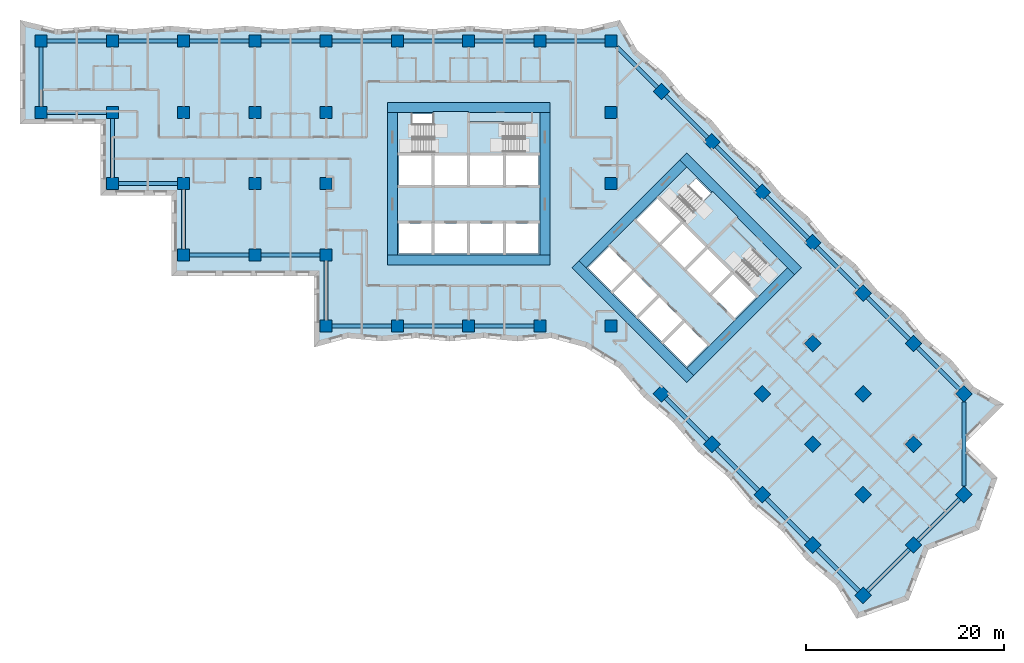
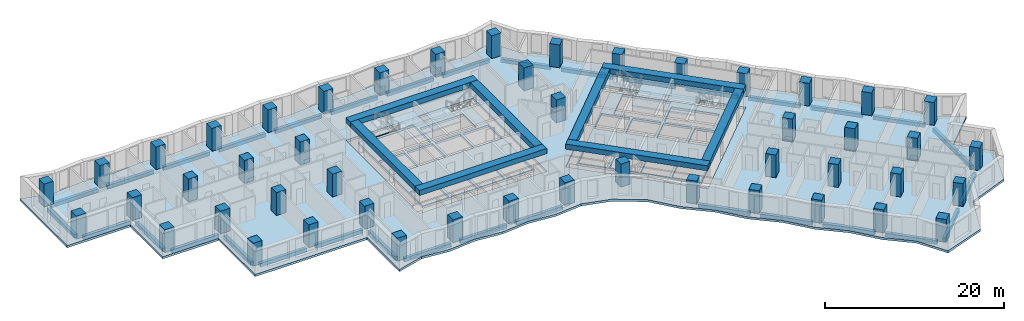
# One storey, part 1 of 13: 48 columns, 41 beams, 7 slabs, 22 openings, 4 elements without a shape of their own.
"""IFC4 building model written with IfcOpenShell, lengths in metres."""

from ifc_helpers import new_model, si_unit, direction, frame, origin, origin_2d, place, context, subcontext, project, spatial, polyline, rectangle, outline, extrude, material, layer, layer_set, material_profile, profile_set, type_object, element, aggregate, save


model = new_model("IFC4")

# Units and contexts
model_context = context("Model", 3, precision=1e-05, world=origin(), true_north=direction((0.0, 1.0)))
body_context = subcontext(model_context, "Body", "Model", "MODEL_VIEW")
ifc_project = project(units=[si_unit("LENGTHUNIT", "METRE"), si_unit("AREAUNIT", "SQUARE_METRE"), si_unit("VOLUMEUNIT", "CUBIC_METRE"), si_unit("PLANEANGLEUNIT", "RADIAN"), si_unit("MASSUNIT", "GRAM", prefix="KILO")], contexts=[model_context])

# Site, building, storey
site_placement = place(None, origin())
site = spatial("IfcSite", under=ifc_project, at=site_placement, CompositionType="ELEMENT")
building_placement = place(site_placement, origin())
building = spatial("IfcBuilding", under=site, at=building_placement, Name="Windrow Commons", CompositionType="ELEMENT")
storey_placement = place(building_placement, frame((0.0, 0.0, 30.4)))
storey = spatial("IfcBuildingStorey", under=building, at=storey_placement, Name="L07", CompositionType="ELEMENT", Elevation=30.4)

# Columns
ifc_material_1 = material(Name="Concrete C60/75", Category="concrete")
ifc_material_profile_1 = material_profile(ifc_material_1, rectangle(XDim=1.2, YDim=1.2, at=origin_2d()))
ifc_profile_set_1 = profile_set([ifc_material_profile_1], Name="Concrete C60/75")
column_type = type_object("IfcColumnType", Name="RC COLUMN 1200x1200 C60/75", PredefinedType="COLUMN", material=ifc_profile_set_1)
for number, where, z_axis, x_axis, name in (
    (1, (21.6, 64.8, 0.0), (0.0, 0.0, 1.0), (1.0, 0.0, 0.0), "C-Z1-04I"),
    (2, (21.6, 72.0, 0.0), (0.0, 0.0, 1.0), (1.0, 0.0, 0.0), "C-Z1-04J"),
    (3, (28.8, 57.6, 0.0), (0.0, 0.0, 1.0), (1.0, 0.0, 0.0), "C-Z1-05H"),
    (4, (28.8, 64.8, 0.0), (0.0, 0.0, 1.0), (1.0, 0.0, 0.0), "C-Z1-05I"),
    (5, (28.8, 72.0, 0.0), (0.0, 0.0, 1.0), (1.0, 0.0, 0.0), "C-Z1-05J"),
    (6, (36.0, 50.4, 0.0), (0.0, 0.0, 1.0), (1.0, 0.0, 0.0), "C-Z1-06G"),
    (7, (36.0, 57.6, 0.0), (0.0, 0.0, 1.0), (1.0, 0.0, 0.0), "C-Z1-06H"),
    (8, (36.0, 64.8, 0.0), (0.0, 0.0, 1.0), (1.0, 0.0, 0.0), "C-Z1-06I"),
    (9, (36.0, 72.0, 0.0), (0.0, 0.0, 1.0), (1.0, 0.0, 0.0), "C-Z1-06J"),
    (10, (43.2, 50.4, 0.0), (0.0, 0.0, 1.0), (1.0, 0.0, 0.0), "C-Z1-07G"),
    (11, (43.2, 57.6, 0.0), (0.0, 0.0, 1.0), (1.0, 0.0, 0.0), "C-Z1-07H"),
    (12, (43.2, 64.8, 0.0), (0.0, 0.0, 1.0), (1.0, 0.0, 0.0), "C-Z1-07I"),
    (13, (43.2, 72.0, 0.0), (0.0, 0.0, 1.0), (1.0, 0.0, 0.0), "C-Z1-07J"),
    (14, (50.4, 43.2, 0.0), (0.0, 0.0, 1.0), (1.0, 0.0, 0.0), "C-Z1-08F"),
    (15, (50.4, 50.4, 0.0), (0.0, 0.0, 1.0), (1.0, 0.0, 0.0), "C-Z1-08G"),
    (16, (50.4, 57.6, 0.0), (0.0, 0.0, 1.0), (1.0, 0.0, 0.0), "C-Z1-08H"),
    (17, (50.4, 64.8, 0.0), (0.0, 0.0, 1.0), (1.0, 0.0, 0.0), "C-Z1-08I"),
    (18, (50.4, 72.0, 0.0), (0.0, 0.0, 1.0), (1.0, 0.0, 0.0), "C-Z1-08J"),
    (19, (57.6, 43.2, 0.0), (0.0, 0.0, 1.0), (1.0, 0.0, 0.0), "C-Z1-09F"),
    (20, (57.6, 72.0, 0.0), (0.0, 0.0, 1.0), (1.0, 0.0, 0.0), "C-Z1-09J"),
    (21, (64.8, 43.2, 0.0), (0.0, 0.0, 1.0), (1.0, 0.0, 0.0), "C-Z1-10F"),
    (22, (64.8, 72.0, 0.0), (0.0, 0.0, 1.0), (1.0, 0.0, 0.0), "C-Z1-10J"),
    (23, (72.0, 43.2, 0.0), (0.0, 0.0, 1.0), (1.0, 0.0, 0.0), "C-Z1-11F"),
    (24, (72.0, 72.0, 0.0), (0.0, 0.0, 1.0), (1.0, 0.0, 0.0), "C-Z1-11J"),
    (25, (79.2, 43.2, 0.0), (0.0, 0.0, 1.0), (1.0, 0.0, 0.0), "C-Z1-12F"),
    (26, (79.2, 57.6, 0.0), (0.0, 0.0, 1.0), (1.0, 0.0, 0.0), "C-Z1-12H"),
    (27, (79.2, 64.8, 0.0), (0.0, 0.0, 1.0), (1.0, 0.0, 0.0), "C-Z1-12I"),
    (28, (79.2, 72.0, 0.0), (0.0, 0.0, 1.0), (1.0, 0.0, 0.0), "C-Z1-12J"),
    (29, (84.2912, 66.9088, 0.0), (0.0, 0.0, 1.0), (0.7071067812, -0.7071067812, 0.0), "C-Z1-P2Q"),
    (30, (89.3823, 61.8177, 0.0), (0.0, 0.0, 1.0), (0.7071067812, -0.7071067812, 0.0), "C-Z1-P3Q"),
    (31, (94.4735, 56.7265, 0.0), (0.0, 0.0, 1.0), (0.7071067812, -0.7071067812, 0.0), "C-Z1-P4Q"),
    (32, (99.5647, 51.6353, 0.0), (0.0, 0.0, 1.0), (0.7071067812, -0.7071067812, 0.0), "C-Z1-P5Q"),
    (33, (84.2912, 36.3618, 0.0), (0.0, 0.0, 1.0), (0.7071067812, -0.7071067812, 0.0), "C-Z1-P5T"),
    (34, (104.6558, 46.5442, 0.0), (0.0, 0.0, 1.0), (0.7071067812, -0.7071067812, 0.0), "C-Z1-P6Q"),
    (35, (99.5647, 41.453, 0.0), (0.0, 0.0, 1.0), (0.7071067812, -0.7071067812, 0.0), "C-Z1-P6R"),
    (36, (94.4735, 36.3618, 0.0), (0.0, 0.0, 1.0), (0.7071067812, -0.7071067812, 0.0), "C-Z1-P6S"),
    (37, (89.3823, 31.2706, 0.0), (0.0, 0.0, 1.0), (0.7071067812, -0.7071067812, 0.0), "C-Z1-P6T"),
    (38, (109.747, 41.453, 0.0), (0.0, 0.0, 1.0), (0.7071067812, -0.7071067812, 0.0), "C-Z1-P7Q"),
    (39, (104.6558, 36.3618, 0.0), (0.0, 0.0, 1.0), (0.7071067812, -0.7071067812, 0.0), "C-Z1-P7R"),
    (40, (99.5647, 31.2706, 0.0), (0.0, 0.0, 1.0), (0.7071067812, -0.7071067812, 0.0), "C-Z1-P7S"),
    (41, (94.4735, 26.1795, 0.0), (0.0, 0.0, 1.0), (0.7071067812, -0.7071067812, 0.0), "C-Z1-P7T"),
    (42, (114.8382, 36.3618, 0.0), (0.0, 0.0, 1.0), (0.7071067812, -0.7071067812, 0.0), "C-Z1-P8Q"),
    (43, (109.747, 31.2706, 0.0), (0.0, 0.0, 1.0), (0.7071067812, -0.7071067812, 0.0), "C-Z1-P8R"),
    (44, (104.6558, 26.1795, 0.0), (0.0, 0.0, 1.0), (0.7071067812, -0.7071067812, 0.0), "C-Z1-P8S"),
    (45, (99.5647, 21.0883, 0.0), (0.0, 0.0, 1.0), (0.7071067812, -0.7071067812, 0.0), "C-Z1-P8T"),
    (46, (114.8382, 26.1795, 0.0), (0.0, 0.0, 1.0), (0.7071067812, -0.7071067812, 0.0), "C-Z1-P9R"),
    (47, (109.747, 21.0883, 0.0), (0.0, 0.0, 1.0), (0.7071067812, -0.7071067812, 0.0), "C-Z1-P9S"),
    (48, (104.6558, 15.9971, 0.0), (0.0, 0.0, 1.0), (0.7071067812, -0.7071067812, 0.0), "C-Z1-P9T"),
):
    element("IfcColumn", number, at=place(storey_placement, frame(where, z_axis=z_axis, x_axis=x_axis)), inside=storey, type_object=column_type, Name=name, PredefinedType="COLUMN", context=body_context, shape_type="SweptSolid", body=[
        extrude(rectangle(XDim=1.2, YDim=1.2, at=origin_2d()), origin(), (0.0, 0.0, 1.0), 3.1),
    ])

# Beams
ifc_material_2 = material(Name="Concrete C60/75", Category="concrete")
ifc_material_profile_2 = material_profile(ifc_material_2, rectangle(XDim=1.0, YDim=0.7, at=origin_2d()))
ifc_profile_set_2 = profile_set([ifc_material_profile_2], Name="Concrete C60/75")
beam_type_1 = type_object("IfcBeamType", Name="RC COUPLING BEAM 1000x700 C60/75", PredefinedType="LINTEL", material=ifc_profile_set_2)
for number, where, z_axis, x_axis, name in (
    (49, (56.6, 49.9, 2.75), (1.0, 0.0, 0.0), (0.0, 1.0, 0.0), "Core A coupling beam outer-S"),
    (50, (56.6, 65.3, 2.75), (1.0, 0.0, 0.0), (0.0, 1.0, 0.0), "Core A coupling beam outer-N"),
):
    element("IfcBeam", number, at=place(storey_placement, frame(where, z_axis=z_axis, x_axis=x_axis)), inside=storey, type_object=beam_type_1, Name=name, PredefinedType="LINTEL", context=body_context, shape_type="SweptSolid", body=[
        extrude(rectangle(XDim=1.0, YDim=0.7, at=origin_2d()), origin(), (0.0, 0.0, 1.0), 16.4),
    ])
for number, where, z_axis, x_axis, name in (
    (51, (57.1, 50.4, 2.75), (0.0, 1.0, 0.0), (-1.0, 0.0, 0.0), "Core A coupling beam outer-W"),
    (52, (72.5, 50.4, 2.75), (0.0, 1.0, 0.0), (-1.0, 0.0, 0.0), "Core A coupling beam outer-E"),
):
    element("IfcBeam", number, at=place(storey_placement, frame(where, z_axis=z_axis, x_axis=x_axis)), inside=storey, type_object=beam_type_1, Name=name, PredefinedType="LINTEL", context=body_context, shape_type="SweptSolid", body=[
        extrude(rectangle(XDim=1.0, YDim=0.7, at=origin_2d()), origin(), (0.0, 0.0, 1.0), 14.4),
    ])
for number, where, z_axis, x_axis, name in (
    (53, (75.5938, 49.4433, 2.75), (0.7071037324, -0.70710983, 0.0), (0.70710983, 0.7071037324, 0.0), "Core B coupling beam outer-S"),
    (54, (86.4832, 60.3327, 2.75), (0.70710983, -0.7071037324, 0.0), (0.7071037324, 0.70710983, 0.0), "Core B coupling beam outer-N"),
):
    element("IfcBeam", number, at=place(storey_placement, frame(where, z_axis=z_axis, x_axis=x_axis)), inside=storey, type_object=beam_type_1, Name=name, PredefinedType="LINTEL", context=body_context, shape_type="SweptSolid", body=[
        extrude(rectangle(XDim=1.0, YDim=0.7, at=origin_2d()), origin(), (0.0, 0.0, 1.0), 16.4),
    ])
beam_1_placement = place(storey_placement, frame((76.3009, 49.4433, 2.75), z_axis=(0.7071067812, 0.7071067812, 0.0), x_axis=(-0.7071067812, 0.7071067812, 0.0)))
element("IfcBeam", 55, at=beam_1_placement, inside=storey, type_object=beam_type_1, Name="Core B coupling beam outer-W", PredefinedType="LINTEL", context=body_context, shape_type="SweptSolid", body=[
    extrude(rectangle(XDim=1.0, YDim=0.7, at=origin_2d()), origin(), (0.0, 0.0, 1.0), 14.3999),
])
beam_2_placement = place(storey_placement, frame((87.1903, 38.5538, 2.75), z_axis=(0.707103309, 0.7071102534, 0.0), x_axis=(-0.7071102534, 0.707103309, 0.0)))
element("IfcBeam", 56, at=beam_2_placement, inside=storey, type_object=beam_type_1, Name="Core B coupling beam outer-E", PredefinedType="LINTEL", context=body_context, shape_type="SweptSolid", body=[
    extrude(rectangle(XDim=1.0, YDim=0.7, at=origin_2d()), origin(), (0.0, 0.0, 1.0), 14.4),
])
ifc_material_3 = material(Name="Concrete C60/75", Category="concrete")
ifc_material_profile_3 = material_profile(ifc_material_3, rectangle(XDim=0.4, YDim=0.5, at=origin_2d()))
ifc_profile_set_3 = profile_set([ifc_material_profile_3], Name="Concrete C60/75")
beam_type_2 = type_object("IfcBeamType", Name="RC EDGE BEAM 400x500 C60/75", PredefinedType="SPANDREL", material=ifc_profile_set_3)
for number, where, z_axis, x_axis, name in (
    (57, (42.6, 50.4, -0.55), (-1.0, 0.0, 0.0), (0.0, -1.0, 0.0), "Edge beam L07 001"),
    (58, (36.0, 51.0, -0.55), (0.0, 1.0, 0.0), (-1.0, 0.0, 0.0), "Edge beam L07 002"),
    (59, (35.4, 57.6, -0.55), (-1.0, 0.0, 0.0), (0.0, -1.0, 0.0), "Edge beam L07 003"),
    (60, (28.8, 58.2, -0.55), (0.0, 1.0, 0.0), (-1.0, 0.0, 0.0), "Edge beam L07 004"),
    (61, (28.2, 64.8, -0.55), (-1.0, 0.0, 0.0), (0.0, -1.0, 0.0), "Edge beam L07 005"),
    (62, (21.6, 65.4, -0.55), (0.0, 1.0, 0.0), (-1.0, 0.0, 0.0), "Edge beam L07 006"),
    (63, (22.2, 72.0, -0.55), (1.0, 0.0, 0.0), (0.0, 1.0, 0.0), "Edge beam L07 007"),
    (64, (29.4, 72.0, -0.55), (1.0, 0.0, 0.0), (0.0, 1.0, 0.0), "Edge beam L07 008"),
    (65, (36.6, 72.0, -0.55), (1.0, 0.0, 0.0), (0.0, 1.0, 0.0), "Edge beam L07 009"),
    (66, (43.8, 72.0, -0.55), (1.0, 0.0, 0.0), (0.0, 1.0, 0.0), "Edge beam L07 010"),
    (67, (51.0, 72.0, -0.55), (1.0, 0.0, 0.0), (0.0, 1.0, 0.0), "Edge beam L07 011"),
    (68, (58.2, 72.0, -0.55), (1.0, 0.0, 0.0), (0.0, 1.0, 0.0), "Edge beam L07 012"),
    (69, (65.4, 72.0, -0.55), (1.0, 0.0, 0.0), (0.0, 1.0, 0.0), "Edge beam L07 013"),
    (70, (72.6, 72.0, -0.55), (1.0, 0.0, 0.0), (0.0, 1.0, 0.0), "Edge beam L07 014"),
):
    element("IfcBeam", number, at=place(storey_placement, frame(where, z_axis=z_axis, x_axis=x_axis)), inside=storey, type_object=beam_type_2, Name=name, PredefinedType="SPANDREL", context=body_context, shape_type="SweptSolid", body=[
        extrude(rectangle(XDim=0.4, YDim=0.5, at=origin_2d()), origin(), (0.0, 0.0, 1.0), 6.0),
    ])
beam_3_placement = place(storey_placement, frame((79.8, 71.4, -0.55), z_axis=(0.7071067812, -0.7071067812, 0.0), x_axis=(0.7071067812, 0.7071067812, 0.0)))
element("IfcBeam", 71, at=beam_3_placement, inside=storey, type_object=beam_type_2, Name="Edge beam L07 015", PredefinedType="SPANDREL", context=body_context, shape_type="SweptSolid", body=[
    extrude(rectangle(XDim=0.4, YDim=0.5, at=origin_2d()), origin(), (0.0, 0.0, 1.0), 5.7515),
])
beam_4_placement = place(storey_placement, frame((84.7155, 66.4845, -0.55), z_axis=(0.7071067812, -0.7071067812, 0.0), x_axis=(0.7071067812, 0.7071067812, 0.0)))
element("IfcBeam", 72, at=beam_4_placement, inside=storey, type_object=beam_type_2, Name="Edge beam L07 016", PredefinedType="SPANDREL", context=body_context, shape_type="SweptSolid", body=[
    extrude(rectangle(XDim=0.4, YDim=0.5, at=origin_2d()), origin(), (0.0, 0.0, 1.0), 5.9998),
])
for number, where, z_axis, x_axis, name in (
    (73, (89.8066, 61.3934, -0.55), (0.7071067812, -0.7071067812, 0.0), (0.7071067812, 0.7071067812, 0.0), "Edge beam L07 017"),
    (74, (94.8978, 56.3022, -0.55), (0.7071067812, -0.7071067812, 0.0), (0.7071067812, 0.7071067812, 0.0), "Edge beam L07 018"),
):
    element("IfcBeam", number, at=place(storey_placement, frame(where, z_axis=z_axis, x_axis=x_axis)), inside=storey, type_object=beam_type_2, Name=name, PredefinedType="SPANDREL", context=body_context, shape_type="SweptSolid", body=[
        extrude(rectangle(XDim=0.4, YDim=0.5, at=origin_2d()), origin(), (0.0, 0.0, 1.0), 5.9999),
    ])
beam_5_placement = place(storey_placement, frame((99.989, 51.211, -0.55), z_axis=(0.7071067812, -0.7071067812, 0.0), x_axis=(0.7071067812, 0.7071067812, 0.0)))
element("IfcBeam", 75, at=beam_5_placement, inside=storey, type_object=beam_type_2, Name="Edge beam L07 019", PredefinedType="SPANDREL", context=body_context, shape_type="SweptSolid", body=[
    extrude(rectangle(XDim=0.4, YDim=0.5, at=origin_2d()), origin(), (0.0, 0.0, 1.0), 5.9998),
])
for number, where, z_axis, x_axis, name in (
    (76, (105.0801, 46.1199, -0.55), (0.7071067812, -0.7071067812, 0.0), (0.7071067812, 0.7071067812, 0.0), "Edge beam L07 020"),
    (77, (110.1713, 41.0287, -0.55), (0.7071067812, -0.7071067812, 0.0), (0.7071067812, 0.7071067812, 0.0), "Edge beam L07 021"),
):
    element("IfcBeam", number, at=place(storey_placement, frame(where, z_axis=z_axis, x_axis=x_axis)), inside=storey, type_object=beam_type_2, Name=name, PredefinedType="SPANDREL", context=body_context, shape_type="SweptSolid", body=[
        extrude(rectangle(XDim=0.4, YDim=0.5, at=origin_2d()), origin(), (0.0, 0.0, 1.0), 5.9999),
    ])
beam_6_placement = place(storey_placement, frame((114.8382, 35.5133, -0.55), z_axis=(0.0, -1.0, 0.0), x_axis=(1.0, 0.0, 0.0)))
element("IfcBeam", 78, at=beam_6_placement, inside=storey, type_object=beam_type_2, Name="Edge beam L07 022", PredefinedType="SPANDREL", context=body_context, shape_type="SweptSolid", body=[
    extrude(rectangle(XDim=0.4, YDim=0.5, at=origin_2d()), origin(), (0.0, 0.0, 1.0), 8.4853),
])
for number, where, z_axis, x_axis, name in (
    (79, (114.4139, 25.7552, -0.55), (-0.7071067812, -0.7071067812, 0.0), (0.7071067812, -0.7071067812, 0.0), "Edge beam L07 023"),
    (80, (109.3227, 20.664, -0.55), (-0.7071067812, -0.7071067812, 0.0), (0.7071067812, -0.7071067812, 0.0), "Edge beam L07 024"),
    (81, (104.2315, 16.4214, -0.55), (-0.7070984476, 0.7071151146, 0.0), (-0.7071151146, -0.7070984476, 0.0), "Edge beam L07 025"),
    (82, (99.1404, 21.5126, -0.55), (-0.7071067812, 0.7071067812, 0.0), (-0.7071067812, -0.7071067812, 0.0), "Edge beam L07 026"),
    (83, (94.0492, 26.6038, -0.55), (-0.7071151146, 0.7070984476, 0.0), (-0.7070984476, -0.7071151146, 0.0), "Edge beam L07 027"),
    (84, (88.958, 31.6949, -0.55), (-0.7070984476, 0.7071151146, 0.0), (-0.7071151146, -0.7070984476, 0.0), "Edge beam L07 028"),
):
    element("IfcBeam", number, at=place(storey_placement, frame(where, z_axis=z_axis, x_axis=x_axis)), inside=storey, type_object=beam_type_2, Name=name, PredefinedType="SPANDREL", context=body_context, shape_type="SweptSolid", body=[
        extrude(rectangle(XDim=0.4, YDim=0.5, at=origin_2d()), origin(), (0.0, 0.0, 1.0), 5.9999),
    ])
for number, where, z_axis, x_axis, name in (
    (85, (71.4, 43.2, -0.55), (-1.0, 0.0, 0.0), (0.0, -1.0, 0.0), "Edge beam L07 029"),
    (86, (64.2, 43.2, -0.55), (-1.0, 0.0, 0.0), (0.0, -1.0, 0.0), "Edge beam L07 030"),
    (87, (57.0, 43.2, -0.55), (-1.0, 0.0, 0.0), (0.0, -1.0, 0.0), "Edge beam L07 031"),
    (88, (50.4, 43.8, -0.55), (0.0, 1.0, 0.0), (-1.0, 0.0, 0.0), "Edge beam L07 032"),
    (89, (49.8, 50.4, -0.55), (-1.0, 0.0, 0.0), (0.0, -1.0, 0.0), "Edge beam L07 033"),
):
    element("IfcBeam", number, at=place(storey_placement, frame(where, z_axis=z_axis, x_axis=x_axis)), inside=storey, type_object=beam_type_2, Name=name, PredefinedType="SPANDREL", context=body_context, shape_type="SweptSolid", body=[
        extrude(rectangle(XDim=0.4, YDim=0.5, at=origin_2d()), origin(), (0.0, 0.0, 1.0), 6.0),
    ])

# Slab, openings
ifc_material_4 = material(Name="Concrete C60/75", Category="concrete")
ifc_layer_1 = layer(ifc_material_4, 0.3)
ifc_layer_set_1 = layer_set([ifc_layer_1], Name="CORE FLOOR SLAB 300 C60/75")
slab_type_1 = type_object("IfcSlabType", Name="CORE FLOOR SLAB 300 C60/75", PredefinedType="FLOOR", material=ifc_layer_set_1)
placement_1 = place(storey_placement, frame((0.0, 0.0, -0.3)))
slab_1 = element("IfcSlab", 90, at=placement_1, inside=storey, type_object=slab_type_1, Name="S-L07-core-A", PredefinedType="FLOOR", context=body_context, shape_type="SweptSolid", body=[
    extrude(outline(polyline([(57.6, 50.4), (72.0, 50.4), (72.0, 64.8), (57.6, 64.8), (57.6, 50.4)]), holes=[polyline([(57.75, 50.55), (61.05, 50.55), (61.05, 53.55), (57.75, 53.55), (57.75, 50.55)]), polyline([(61.35, 50.55), (64.65, 50.55), (64.65, 53.55), (61.35, 53.55), (61.35, 50.55)]), polyline([(64.95, 50.55), (68.25, 50.55), (68.25, 53.55), (64.95, 53.55), (64.95, 50.55)]), polyline([(68.55, 50.55), (71.85, 50.55), (71.85, 53.55), (68.55, 53.55), (68.55, 50.55)]), polyline([(57.75, 57.45), (61.05, 57.45), (61.05, 60.45), (57.75, 60.45), (57.75, 57.45)]), polyline([(61.35, 57.45), (64.65, 57.45), (64.65, 60.45), (61.35, 60.45), (61.35, 57.45)]), polyline([(64.95, 57.45), (68.25, 57.45), (68.25, 60.45), (64.95, 60.45), (64.95, 57.45)]), polyline([(68.55, 57.45), (71.85, 57.45), (71.85, 60.45), (68.55, 60.45), (68.55, 57.45)]), polyline([(59.1, 60.75), (64.65, 60.75), (64.65, 64.65), (59.1, 64.65), (59.1, 60.75)]), polyline([(64.95, 60.75), (70.5, 60.75), (70.5, 63.705), (64.95, 63.705), (64.95, 60.75)])]), origin(), (0.0, 0.0, 1.0), 0.3),
])
opening_1_placement = place(placement_1, origin())
element("IfcOpeningElement", 91, at=opening_1_placement, cuts=slab_1, Name="Slab opening S-L07-core-A 1", PredefinedType="OPENING", context=body_context, shape_type="SweptSolid", body=[
    extrude(outline(polyline([(57.755, 50.555), (57.755, 53.545), (61.045, 53.545), (61.045, 50.555), (57.755, 50.555)])), origin(), (0.0, 0.0, 1.0), 0.3),
])
opening_2_placement = place(placement_1, origin())
element("IfcOpeningElement", 92, at=opening_2_placement, cuts=slab_1, Name="Slab opening S-L07-core-A 2", PredefinedType="OPENING", context=body_context, shape_type="SweptSolid", body=[
    extrude(outline(polyline([(61.355, 50.555), (61.355, 53.545), (64.645, 53.545), (64.645, 50.555), (61.355, 50.555)])), origin(), (0.0, 0.0, 1.0), 0.3),
])
opening_3_placement = place(placement_1, origin())
element("IfcOpeningElement", 93, at=opening_3_placement, cuts=slab_1, Name="Slab opening S-L07-core-A 3", PredefinedType="OPENING", context=body_context, shape_type="SweptSolid", body=[
    extrude(outline(polyline([(64.955, 50.555), (64.955, 53.545), (68.245, 53.545), (68.245, 50.555), (64.955, 50.555)])), origin(), (0.0, 0.0, 1.0), 0.3),
])
opening_4_placement = place(placement_1, origin())
element("IfcOpeningElement", 94, at=opening_4_placement, cuts=slab_1, Name="Slab opening S-L07-core-A 4", PredefinedType="OPENING", context=body_context, shape_type="SweptSolid", body=[
    extrude(outline(polyline([(68.555, 50.555), (68.555, 53.545), (71.845, 53.545), (71.845, 50.555), (68.555, 50.555)])), origin(), (0.0, 0.0, 1.0), 0.3),
])
opening_5_placement = place(placement_1, origin())
element("IfcOpeningElement", 95, at=opening_5_placement, cuts=slab_1, Name="Slab opening S-L07-core-A 5", PredefinedType="OPENING", context=body_context, shape_type="SweptSolid", body=[
    extrude(outline(polyline([(57.755, 57.455), (57.755, 60.445), (61.045, 60.445), (61.045, 57.455), (57.755, 57.455)])), origin(), (0.0, 0.0, 1.0), 0.3),
])
opening_6_placement = place(placement_1, origin())
element("IfcOpeningElement", 96, at=opening_6_placement, cuts=slab_1, Name="Slab opening S-L07-core-A 6", PredefinedType="OPENING", context=body_context, shape_type="SweptSolid", body=[
    extrude(outline(polyline([(61.355, 57.455), (61.355, 60.445), (64.645, 60.445), (64.645, 57.455), (61.355, 57.455)])), origin(), (0.0, 0.0, 1.0), 0.3),
])
opening_7_placement = place(placement_1, origin())
element("IfcOpeningElement", 97, at=opening_7_placement, cuts=slab_1, Name="Slab opening S-L07-core-A 7", PredefinedType="OPENING", context=body_context, shape_type="SweptSolid", body=[
    extrude(outline(polyline([(64.955, 57.455), (64.955, 60.445), (68.245, 60.445), (68.245, 57.455), (64.955, 57.455)])), origin(), (0.0, 0.0, 1.0), 0.3),
])
opening_8_placement = place(placement_1, origin())
element("IfcOpeningElement", 98, at=opening_8_placement, cuts=slab_1, Name="Slab opening S-L07-core-A 8", PredefinedType="OPENING", context=body_context, shape_type="SweptSolid", body=[
    extrude(outline(polyline([(68.555, 57.455), (68.555, 60.445), (71.845, 60.445), (71.845, 57.455), (68.555, 57.455)])), origin(), (0.0, 0.0, 1.0), 0.3),
])
opening_9_placement = place(placement_1, origin())
element("IfcOpeningElement", 99, at=opening_9_placement, cuts=slab_1, Name="Slab opening S-L07-core-A 9", PredefinedType="OPENING", context=body_context, shape_type="SweptSolid", body=[
    extrude(outline(polyline([(59.105, 60.755), (59.105, 64.645), (64.645, 64.645), (64.645, 60.755), (59.105, 60.755)])), origin(), (0.0, 0.0, 1.0), 0.3),
])
opening_10_placement = place(placement_1, origin())
element("IfcOpeningElement", 100, at=opening_10_placement, cuts=slab_1, Name="Slab opening S-L07-core-A 10", PredefinedType="OPENING", context=body_context, shape_type="SweptSolid", body=[
    extrude(outline(polyline([(64.955, 60.755), (64.955, 63.7), (70.495, 63.7), (70.495, 60.755), (64.955, 60.755)])), origin(), (0.0, 0.0, 1.0), 0.3),
])

slab_2 = element("IfcSlab", 101, at=placement_1, inside=storey, type_object=slab_type_1, Name="S-L07-core-B", PredefinedType="FLOOR", context=body_context, shape_type="SweptSolid", body=[
    extrude(outline(polyline([(76.6544, 49.0897), (86.8368, 38.9074), (97.0191, 49.0897), (86.8368, 59.2721), (76.6544, 49.0897)]), holes=[polyline([(76.8665, 49.0897), (79.2, 46.7563), (81.3213, 48.8776), (78.9879, 51.2111), (76.8665, 49.0897)]), polyline([(79.4121, 46.5442), (81.7456, 44.2107), (83.8669, 46.332), (81.5335, 48.6655), (79.4121, 46.5442)]), polyline([(81.9577, 43.9986), (84.2912, 41.6651), (86.4125, 43.7864), (84.079, 46.1199), (81.9577, 43.9986)]), polyline([(84.5033, 41.453), (86.8368, 39.1195), (88.9581, 41.2409), (86.6246, 43.5743), (84.5033, 41.453)]), polyline([(81.7456, 53.9688), (84.079, 51.6353), (86.2004, 53.7566), (83.8669, 56.0901), (81.7456, 53.9688)]), polyline([(84.2912, 51.4232), (86.6246, 49.0897), (88.7459, 51.2111), (86.4125, 53.5445), (84.2912, 51.4232)]), polyline([(86.8368, 48.8776), (89.1702, 46.5442), (91.2915, 48.6655), (88.9581, 50.9989), (86.8368, 48.8776)]), polyline([(89.3823, 46.332), (91.7158, 43.9986), (93.8371, 46.1199), (91.5037, 48.4533), (89.3823, 46.332)]), polyline([(85.0336, 55.3476), (88.9581, 51.4232), (91.7158, 54.1809), (87.7913, 58.1054), (85.0336, 55.3476)]), polyline([(89.1702, 51.2111), (93.0946, 47.2866), (95.1841, 49.3761), (91.2597, 53.3006), (89.1702, 51.2111)])]), origin(), (0.0, 0.0, 1.0), 0.3),
])
opening_11_placement = place(placement_1, origin())
element("IfcOpeningElement", 102, at=opening_11_placement, cuts=slab_2, Name="Slab opening S-L07-core-B 1", PredefinedType="OPENING", context=body_context, shape_type="SweptSolid", body=[
    extrude(outline(polyline([(76.8736, 49.0897), (78.9879, 51.204), (81.3142, 48.8776), (79.2, 46.7634), (76.8736, 49.0897)])), origin(), (0.0, 0.0, 1.0), 0.3),
])
opening_12_placement = place(placement_1, origin())
element("IfcOpeningElement", 103, at=opening_12_placement, cuts=slab_2, Name="Slab opening S-L07-core-B 2", PredefinedType="OPENING", context=body_context, shape_type="SweptSolid", body=[
    extrude(outline(polyline([(79.4192, 46.5442), (81.5335, 48.6584), (83.8598, 46.332), (81.7456, 44.2178), (79.4192, 46.5442)])), origin(), (0.0, 0.0, 1.0), 0.3),
])
opening_13_placement = place(placement_1, origin())
element("IfcOpeningElement", 104, at=opening_13_placement, cuts=slab_2, Name="Slab opening S-L07-core-B 3", PredefinedType="OPENING", context=body_context, shape_type="SweptSolid", body=[
    extrude(outline(polyline([(81.9648, 43.9986), (84.079, 46.1128), (86.4054, 43.7864), (84.2912, 41.6722), (81.9648, 43.9986)])), origin(), (0.0, 0.0, 1.0), 0.3),
])
opening_14_placement = place(placement_1, origin())
element("IfcOpeningElement", 105, at=opening_14_placement, cuts=slab_2, Name="Slab opening S-L07-core-B 4", PredefinedType="OPENING", context=body_context, shape_type="SweptSolid", body=[
    extrude(outline(polyline([(84.5104, 41.453), (86.6246, 43.5672), (88.951, 41.2409), (86.8368, 39.1266), (84.5104, 41.453)])), origin(), (0.0, 0.0, 1.0), 0.3),
])
opening_15_placement = place(placement_1, origin())
element("IfcOpeningElement", 106, at=opening_15_placement, cuts=slab_2, Name="Slab opening S-L07-core-B 5", PredefinedType="OPENING", context=body_context, shape_type="SweptSolid", body=[
    extrude(outline(polyline([(81.7527, 53.9688), (83.8669, 56.083), (86.1933, 53.7566), (84.079, 51.6424), (81.7527, 53.9688)])), origin(), (0.0, 0.0, 1.0), 0.3),
])
opening_16_placement = place(placement_1, origin())
element("IfcOpeningElement", 107, at=opening_16_placement, cuts=slab_2, Name="Slab opening S-L07-core-B 6", PredefinedType="OPENING", context=body_context, shape_type="SweptSolid", body=[
    extrude(outline(polyline([(84.2983, 51.4232), (86.4125, 53.5374), (88.7388, 51.2111), (86.6246, 49.0968), (84.2983, 51.4232)])), origin(), (0.0, 0.0, 1.0), 0.3),
])
opening_17_placement = place(placement_1, origin())
element("IfcOpeningElement", 108, at=opening_17_placement, cuts=slab_2, Name="Slab opening S-L07-core-B 7", PredefinedType="OPENING", context=body_context, shape_type="SweptSolid", body=[
    extrude(outline(polyline([(86.8439, 48.8776), (88.9581, 50.9918), (91.2844, 48.6655), (89.1702, 46.5513), (86.8439, 48.8776)])), origin(), (0.0, 0.0, 1.0), 0.3),
])
opening_18_placement = place(placement_1, origin())
element("IfcOpeningElement", 109, at=opening_18_placement, cuts=slab_2, Name="Slab opening S-L07-core-B 8", PredefinedType="OPENING", context=body_context, shape_type="SweptSolid", body=[
    extrude(outline(polyline([(89.3894, 46.332), (91.5037, 48.4462), (93.83, 46.1199), (91.7158, 44.0057), (89.3894, 46.332)])), origin(), (0.0, 0.0, 1.0), 0.3),
])
opening_19_placement = place(placement_1, origin())
element("IfcOpeningElement", 110, at=opening_19_placement, cuts=slab_2, Name="Slab opening S-L07-core-B 9", PredefinedType="OPENING", context=body_context, shape_type="SweptSolid", body=[
    extrude(outline(polyline([(85.0407, 55.3476), (87.7913, 58.0983), (91.7087, 54.1809), (88.9581, 51.4303), (85.0407, 55.3476)])), origin(), (0.0, 0.0, 1.0), 0.3),
])
opening_20_placement = place(placement_1, origin())
element("IfcOpeningElement", 111, at=opening_20_placement, cuts=slab_2, Name="Slab opening S-L07-core-B 10", PredefinedType="OPENING", context=body_context, shape_type="SweptSolid", body=[
    extrude(outline(polyline([(89.1773, 51.2111), (91.2597, 53.2935), (95.177, 49.3761), (93.0946, 47.2937), (89.1773, 51.2111)])), origin(), (0.0, 0.0, 1.0), 0.3),
])

# Stair, slab
ifc_material_5 = material(Name="Concrete C40/50", Category="concrete")
stair_type = type_object("IfcStairType", Name="Core stair", PredefinedType="HALF_TURN_STAIR", material=ifc_material_5)
placement_2 = place(storey_placement, origin())
stair_1 = element("IfcStair", 112, at=placement_2, inside=storey, type_object=stair_type, Name="L07 Exit stair A1 core A", PredefinedType="HALF_TURN_STAIR")
ifc_material_6 = material(Name="Concrete C40/50", Category="concrete")
ifc_layer_2 = layer(ifc_material_6, 0.2)
ifc_layer_set_2 = layer_set([ifc_layer_2], Name="Core stair landing")
slab_type_2 = type_object("IfcSlabType", Name="Core stair landing", PredefinedType="LANDING", material=ifc_layer_set_2)
placement_3 = place(storey_placement, frame((0.0, 0.0, 1.5)))
slab_3 = element("IfcSlab", 113, at=placement_3, type_object=slab_type_2, Name="ST-A1 landing 1", PredefinedType="LANDING", context=body_context, shape_type="SweptSolid", body=[
    extrude(outline(polyline([(61.22, 60.5), (64.8, 60.5), (64.8, 64.9), (61.22, 64.9), (61.22, 60.5)])), origin(), (0.0, 0.0, 1.0), 0.2),
])
aggregate(stair_1, [slab_3])

stair_2 = element("IfcStair", 114, at=placement_2, inside=storey, type_object=stair_type, Name="L07 Exit stair A2 core A", PredefinedType="HALF_TURN_STAIR")
slab_4 = element("IfcSlab", 115, at=placement_3, type_object=slab_type_2, Name="ST-A2 landing 1", PredefinedType="LANDING", context=body_context, shape_type="SweptSolid", body=[
    extrude(outline(polyline([(64.8, 60.5), (68.38, 60.5), (68.38, 63.855), (64.8, 63.855), (64.8, 60.5)])), origin(), (0.0, 0.0, 1.0), 0.2),
])
aggregate(stair_2, [slab_4])

stair_3 = element("IfcStair", 116, at=placement_2, inside=storey, type_object=stair_type, Name="L07 Exit stair B1 core B", PredefinedType="HALF_TURN_STAIR")
slab_5 = element("IfcSlab", 117, at=placement_3, type_object=slab_type_2, Name="ST-B1 landing 1", PredefinedType="LANDING", context=body_context, shape_type="SweptSolid", body=[
    extrude(outline(polyline([(86.3559, 53.6718), (88.8874, 51.1403), (91.9986, 54.2516), (89.4672, 56.7831), (86.3559, 53.6718)])), origin(), (0.0, 0.0, 1.0), 0.2),
])
aggregate(stair_3, [slab_5])

stair_4 = element("IfcStair", 118, at=placement_2, inside=storey, type_object=stair_type, Name="L07 Exit stair B2 core B", PredefinedType="HALF_TURN_STAIR")
slab_6 = element("IfcSlab", 119, at=placement_3, type_object=slab_type_2, Name="ST-B2 landing 1", PredefinedType="LANDING", context=body_context, shape_type="SweptSolid", body=[
    extrude(outline(polyline([(88.8874, 51.1403), (91.4188, 48.6089), (93.7911, 50.9812), (91.2597, 53.5127), (88.8874, 51.1403)])), origin(), (0.0, 0.0, 1.0), 0.2),
])
aggregate(stair_4, [slab_6])

# Slab, openings
ifc_material_7 = material(Name="Concrete C60/75", Category="concrete")
ifc_layer_3 = layer(ifc_material_7, 0.3)
ifc_layer_set_3 = layer_set([ifc_layer_3], Name="FLOOR SLAB 300 C60/75")
slab_type_3 = type_object("IfcSlabType", Name="FLOOR SLAB 300 C60/75", PredefinedType="FLOOR", material=ifc_layer_set_3)
slab_7 = element("IfcSlab", 120, at=placement_1, inside=storey, type_object=slab_type_3, Name="S-L07-floor", PredefinedType="FLOOR", context=body_context, shape_type="SweptSolid", body=[
    extrude(outline(polyline([(101.913, 17.0429), (103.9982, 13.6425), (109.2538, 15.5039), (111.2567, 20.6181), (116.3708, 22.6209), (118.2323, 27.8765), (114.8382, 31.2706), (118.8899, 35.3224), (115.8068, 37.0903), (113.6147, 39.7491), (110.9559, 41.9412), (108.7637, 44.6001), (106.1049, 46.7922), (103.9128, 49.451), (101.254, 51.6431), (99.0618, 54.3019), (96.403, 56.4941), (94.2109, 59.1529), (91.5521, 61.345), (89.3599, 64.0038), (86.7011, 66.196), (84.509, 68.8548), (81.8502, 71.0469), (80.0823, 74.13), (76.294, 73.2), (72.5058, 73.53), (68.7175, 73.2), (64.9292, 73.53), (61.141, 73.2), (57.3527, 73.53), (53.5644, 73.2), (49.7762, 73.53), (45.9879, 73.2), (42.1996, 73.53), (38.4113, 73.2), (34.6231, 73.53), (30.8348, 73.2), (27.0465, 73.53), (23.2583, 73.2), (19.47, 74.13), (19.47, 63.6), (27.6, 63.6), (27.6, 56.4), (34.8, 56.4), (34.8, 48.27), (49.2, 48.27), (49.2, 41.07), (52.6213, 42.0), (56.0427, 41.67), (59.464, 42.0), (62.8853, 41.67), (66.3067, 42.0), (69.728, 41.67), (73.1493, 42.0), (76.5707, 41.07), (79.971, 38.9849), (82.4804, 36.0088), (85.4565, 33.4994), (87.9659, 30.5233), (90.942, 28.0139), (93.4514, 25.0378), (96.4275, 22.5284), (98.937, 19.5523), (101.913, 17.0429)]), holes=[polyline([(75.2402, 49.0897), (86.8368, 60.6863), (98.4333, 49.0897), (86.8368, 37.4932), (75.2402, 49.0897)]), polyline([(56.6, 49.4), (56.6, 65.8), (73.0, 65.8), (73.0, 49.4), (56.6, 49.4)])]), origin(), (0.0, 0.0, 1.0), 0.3),
])
opening_21_placement = place(placement_1, origin())
element("IfcOpeningElement", 121, at=opening_21_placement, cuts=slab_7, Name="Slab opening S-L07-floor 1", PredefinedType="OPENING", context=body_context, shape_type="SweptSolid", body=[
    extrude(outline(polyline([(75.2473, 49.0897), (86.8368, 60.6792), (98.4262, 49.0897), (86.8368, 37.5003), (75.2473, 49.0897)])), origin(), (0.0, 0.0, 1.0), 0.3),
])
opening_22_placement = place(placement_1, origin())
element("IfcOpeningElement", 122, at=opening_22_placement, cuts=slab_7, Name="Slab opening S-L07-floor 2", PredefinedType="OPENING", context=body_context, shape_type="SweptSolid", body=[
    extrude(outline(polyline([(56.605, 49.405), (56.605, 65.795), (72.995, 65.795), (72.995, 49.405), (56.605, 49.405)])), origin(), (0.0, 0.0, 1.0), 0.3),
])

save(model, "model.ifc")
